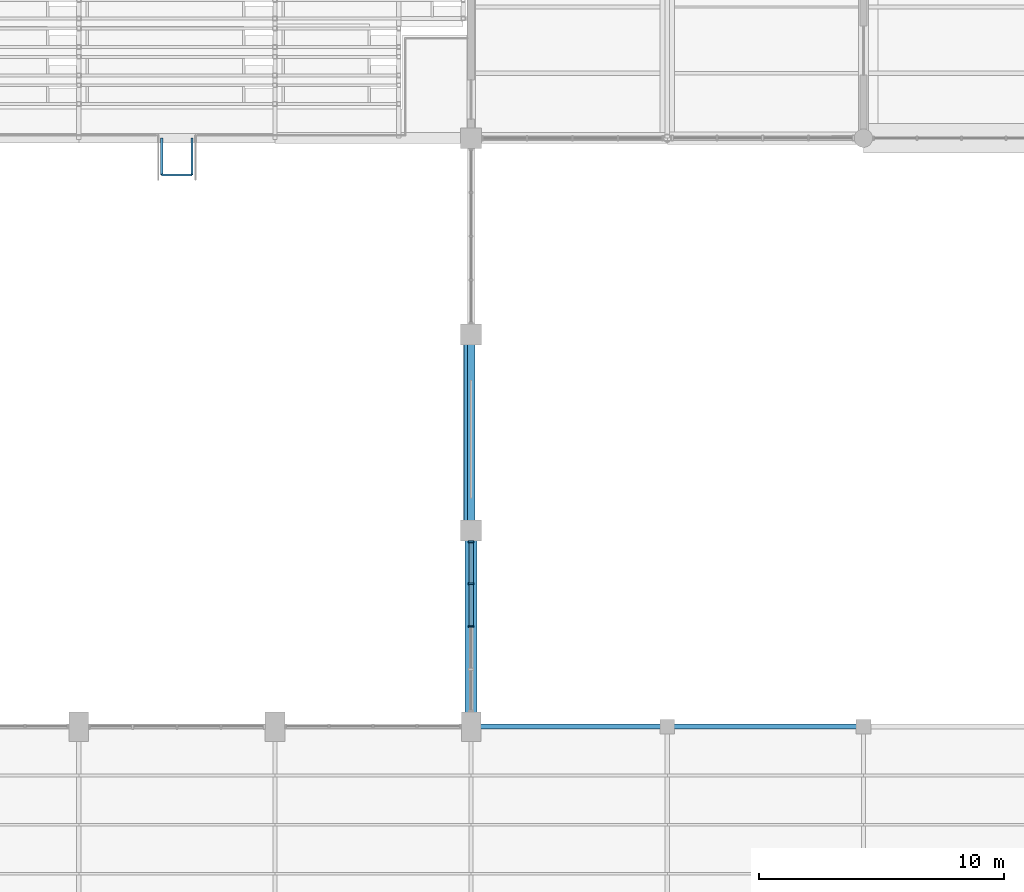
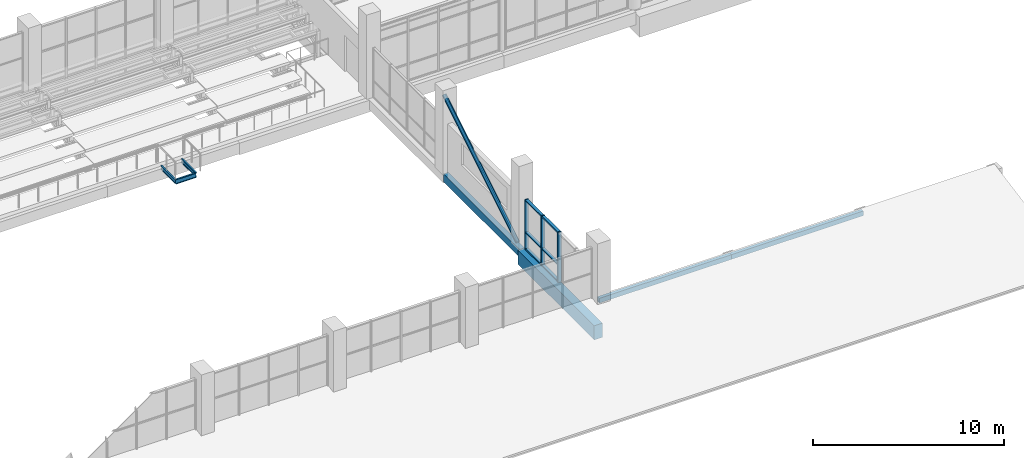
# One storey, part 13 of 122: 10 members, 7 beams, 1 element without a shape of its own.
"""IFC4 building model written with IfcOpenShell, lengths in metres."""

from ifc_helpers import new_model, si_unit, direction, frame, origin, origin_2d, place, context, subcontext, project, spatial, rectangle, hollow_rectangle, hollow_circle, i_section, extrude, material, material_profile, profile_set, type_object, element, aggregate, save


model = new_model("IFC4")

# Units and contexts
model_context = context("Model", 3, precision=1e-05, world=origin(), true_north=direction((0.0, 1.0)))
body_context = subcontext(model_context, "Body", "Model", "MODEL_VIEW")
ifc_project = project(units=[si_unit("LENGTHUNIT", "METRE"), si_unit("AREAUNIT", "SQUARE_METRE"), si_unit("VOLUMEUNIT", "CUBIC_METRE"), si_unit("PLANEANGLEUNIT", "RADIAN"), si_unit("MASSUNIT", "GRAM", prefix="KILO")], contexts=[model_context])

# Site, building, storey
site_placement = place(None, origin())
site = spatial("IfcSite", under=ifc_project, at=site_placement, CompositionType="ELEMENT")
building_placement = place(site_placement, origin())
building = spatial("IfcBuilding", under=site, at=building_placement, Name="Tenunan Teduh Sports Hall", CompositionType="ELEMENT")
storey_placement = place(building_placement, frame((0.0, 0.0, 5.39990234375)))
storey = spatial("IfcBuildingStorey", under=building, at=storey_placement, Name="L01", CompositionType="ELEMENT", Elevation=5.39990234375)

# Beams
ifc_material_1 = material(Name="Concrete C40/50", Category="concrete")
ifc_material_profile_1 = material_profile(ifc_material_1, rectangle(XDim=0.300048828125, YDim=0.5, at=origin_2d()), Name="RCB 300x500")
ifc_profile_set_1 = profile_set([ifc_material_profile_1], Name="Concrete C40/50")
beam_type_1 = type_object("IfcBeamType", Name="BM-RC-300x500", PredefinedType="BEAM", material=ifc_profile_set_1)
beam_1_placement = place(storey_placement, frame((54.0, 22.0, -0.510009765625), z_axis=(0.0, 1.0, 0.0), x_axis=(-1.0, 0.0, 0.0)))
element("IfcBeam", 1, at=beam_1_placement, inside=storey, type_object=beam_type_1, Name="BM-B-01-L01-1219", PredefinedType="BEAM", context=body_context, shape_type="SweptSolid", body=[
    extrude(rectangle(XDim=0.300048828125, YDim=0.5, at=origin_2d()), origin(), (0.0, 0.0, 1.0), 8.0),
])
ifc_material_2 = material(Name="Concrete C40/50", Category="concrete")
ifc_material_profile_2 = material_profile(ifc_material_2, rectangle(XDim=0.5, YDim=0.89990234375, at=origin_2d()), Name="RCB 500x900")
ifc_profile_set_2 = profile_set([ifc_material_profile_2], Name="Concrete C40/50")
beam_type_2 = type_object("IfcBeamType", Name="BM-RC-500x900", PredefinedType="BEAM", material=ifc_profile_set_2)
beam_2_placement = place(storey_placement, frame((54.0, 14.0, -0.7099609375), z_axis=(0.0, 1.0, 0.0), x_axis=(-1.0, 0.0, 0.0)))
element("IfcBeam", 2, at=beam_2_placement, inside=storey, type_object=beam_type_2, Name="BM-B-15-L01-1218", PredefinedType="BEAM", context=body_context, shape_type="SweptSolid", body=[
    extrude(rectangle(XDim=0.5, YDim=0.89990234375, at=origin_2d()), origin(), (0.0, 0.0, 1.0), 8.0),
])

# Curtain wall, members
ifc_material_3 = material(Name="Anodised aluminium", Category="aluminium")
curtain_wall_type = type_object("IfcCurtainWallType", Name="CW-UNIT-1", PredefinedType="NOTDEFINED", material=ifc_material_3)
curtain_wall_placement = place(storey_placement, origin())
curtain_wall = element("IfcCurtainWall", 3, at=curtain_wall_placement, inside=storey, type_object=curtain_wall_type, Name="CW-CWM-220-L01-053", PredefinedType="NOTDEFINED")
ifc_material_4 = material(Name="Anodised aluminium", Category="aluminium")
ifc_material_profile_3 = material_profile(ifc_material_4, rectangle(XDim=0.074951171875, YDim=0.219970703125, at=origin_2d()), Name="CWM 75x220")
ifc_profile_set_3 = profile_set([ifc_material_profile_3], Name="Anodised aluminium")
member_type_1 = type_object("IfcMemberType", Name="CWM-220", PredefinedType="MULLION", material=ifc_profile_set_3)
member_1_placement = place(storey_placement, frame((54.0, 18.08740234375, 0.0), z_axis=(0.0, 0.0, 1.0), x_axis=(0.0, 1.0, 0.0)))
member_1 = element("IfcMember", 4, at=member_1_placement, type_object=member_type_1, Name="CW-01 mullion 3", PredefinedType="MULLION", context=body_context, shape_type="SweptSolid", body=[
    extrude(rectangle(XDim=0.074951171875, YDim=0.219970703125, at=origin_2d()), origin(), (0.0, 0.0, 1.0), 3.2001953125),
])
member_2_placement = place(storey_placement, frame((54.0, 19.831298828125, 0.0), z_axis=(0.0, 0.0, 1.0), x_axis=(0.0, 1.0, 0.0)))
member_2 = element("IfcMember", 5, at=member_2_placement, type_object=member_type_1, Name="CW-01 mullion 4", PredefinedType="MULLION", context=body_context, shape_type="SweptSolid", body=[
    extrude(rectangle(XDim=0.074951171875, YDim=0.219970703125, at=origin_2d()), origin(), (0.0, 0.0, 1.0), 3.2001953125),
])
member_3_placement = place(storey_placement, frame((54.0, 21.53759765625, 0.0), z_axis=(0.0, 0.0, 1.0), x_axis=(0.0, 1.0, 0.0)))
member_3 = element("IfcMember", 6, at=member_3_placement, type_object=member_type_1, Name="CW-01 mullion 5", PredefinedType="MULLION", context=body_context, shape_type="SweptSolid", body=[
    extrude(rectangle(XDim=0.074951171875, YDim=0.219970703125, at=origin_2d()), origin(), (0.0, 0.0, 1.0), 3.2001953125),
])
ifc_material_5 = material(Name="Anodised aluminium", Category="aluminium")
ifc_material_profile_4 = material_profile(ifc_material_5, rectangle(XDim=0.074951171875, YDim=0.179931640625, at=origin_2d()), Name="CWT 75x180")
ifc_profile_set_4 = profile_set([ifc_material_profile_4], Name="Anodised aluminium")
member_type_2 = type_object("IfcMemberType", Name="CWT-180", PredefinedType="USERDEFINED", material=ifc_profile_set_4)
member_4_placement = place(storey_placement, frame((54.0, 18.125, 0.03759765625), z_axis=(0.0, 1.0, 0.0), x_axis=(0.0, 0.0, 1.0)))
member_4 = element("IfcMember", 7, at=member_4_placement, type_object=member_type_2, Name="CW-01 transom 3.1", ObjectType="TRANSOM", PredefinedType="USERDEFINED", context=body_context, shape_type="SweptSolid", body=[
    extrude(rectangle(XDim=0.074951171875, YDim=0.179931640625, at=origin_2d()), origin(), (0.0, 0.0, 1.0), 1.668701171875),
])
member_5_placement = place(storey_placement, frame((54.0, 18.125, 1.10009765625), z_axis=(0.0, 1.0, 0.0), x_axis=(0.0, 0.0, 1.0)))
member_5 = element("IfcMember", 8, at=member_5_placement, type_object=member_type_2, Name="CW-01 transom 3.2", ObjectType="TRANSOM", PredefinedType="USERDEFINED", context=body_context, shape_type="SweptSolid", body=[
    extrude(rectangle(XDim=0.074951171875, YDim=0.179931640625, at=origin_2d()), origin(), (0.0, 0.0, 1.0), 1.668701171875),
])
member_6_placement = place(storey_placement, frame((54.0, 18.125, 3.16259765625), z_axis=(0.0, 1.0, 0.0), x_axis=(0.0, 0.0, 1.0)))
member_6 = element("IfcMember", 9, at=member_6_placement, type_object=member_type_2, Name="CW-01 transom 3.3", ObjectType="TRANSOM", PredefinedType="USERDEFINED", context=body_context, shape_type="SweptSolid", body=[
    extrude(rectangle(XDim=0.074951171875, YDim=0.179931640625, at=origin_2d()), origin(), (0.0, 0.0, 1.0), 1.668701171875),
])
member_7_placement = place(storey_placement, frame((54.0, 19.86865234375, 0.03759765625), z_axis=(0.0, 1.0, 0.0), x_axis=(0.0, 0.0, 1.0)))
member_7 = element("IfcMember", 10, at=member_7_placement, type_object=member_type_2, Name="CW-01 transom 4.1", ObjectType="TRANSOM", PredefinedType="USERDEFINED", context=body_context, shape_type="SweptSolid", body=[
    extrude(rectangle(XDim=0.074951171875, YDim=0.179931640625, at=origin_2d()), origin(), (0.0, 0.0, 1.0), 1.63134765625),
])
member_8_placement = place(storey_placement, frame((54.0, 19.86865234375, 1.10009765625), z_axis=(0.0, 1.0, 0.0), x_axis=(0.0, 0.0, 1.0)))
member_8 = element("IfcMember", 11, at=member_8_placement, type_object=member_type_2, Name="CW-01 transom 4.2", ObjectType="TRANSOM", PredefinedType="USERDEFINED", context=body_context, shape_type="SweptSolid", body=[
    extrude(rectangle(XDim=0.074951171875, YDim=0.179931640625, at=origin_2d()), origin(), (0.0, 0.0, 1.0), 1.63134765625),
])
member_9_placement = place(storey_placement, frame((54.0, 19.86865234375, 3.16259765625), z_axis=(0.0, 1.0, 0.0), x_axis=(0.0, 0.0, 1.0)))
member_9 = element("IfcMember", 12, at=member_9_placement, type_object=member_type_2, Name="CW-01 transom 4.3", ObjectType="TRANSOM", PredefinedType="USERDEFINED", context=body_context, shape_type="SweptSolid", body=[
    extrude(rectangle(XDim=0.074951171875, YDim=0.179931640625, at=origin_2d()), origin(), (0.0, 0.0, 1.0), 1.63134765625),
])
aggregate(curtain_wall, [member_1, member_2, member_3, member_4, member_5, member_6, member_7, member_8, member_9])

# Member
ifc_material_6 = material(Name="Steel S355", Category="steel")
ifc_material_profile_5 = material_profile(ifc_material_6, hollow_circle(Radius=0.122314453125, WallThickness=0.010009765625, at=origin_2d()), Name="CHS 244.5x10.0")
ifc_profile_set_5 = profile_set([ifc_material_profile_5], Name="Steel S355")
member_type_3 = type_object("IfcMemberType", Name="MEM-BR-CHS245", PredefinedType="BRACE", material=ifc_profile_set_5)
member_10_placement = place(storey_placement, frame((53.820068359375, 22.14990234375, 0.150146484375), z_axis=(0.0, 0.851094506608, 0.525012514919), x_axis=(-1.0, 0.0, 0.0)))
element("IfcMember", 13, at=member_10_placement, inside=storey, type_object=member_type_3, Name="MEM-GD-01-L01-1450", PredefinedType="BRACE", context=body_context, shape_type="SweptSolid", body=[
    extrude(hollow_circle(Radius=0.122314453125, WallThickness=0.010009765625, at=origin_2d()), origin(), (0.0, 0.0, 1.0), 9.04736328125),
])

# Beams
ifc_material_7 = material(Name="Steel S355", Category="steel")
ifc_material_profile_6 = material_profile(ifc_material_7, hollow_rectangle(XDim=0.199951171875, YDim=0.300048828125, WallThickness=0.010009765625, at=origin_2d()), Name="RHS 300x200x10.0")
ifc_profile_set_6 = profile_set([ifc_material_profile_6], Name="Steel S355")
beam_type_3 = type_object("IfcBeamType", Name="RBM-RHS300", PredefinedType="BEAM", material=ifc_profile_set_6)
for number, where, z_axis, x_axis, name in (
    (14, (54.0, 14.0, 1.320068359375), (1.0, 0.0, 0.0), (0.0, 1.0, 0.0), "Perimeter Ring Beam BM-RB-03-L01-0538"),
    (15, (62.0, 14.0, 1.320068359375), (1.0, 0.0, 0.0), (0.0, 1.0, 0.0), "Perimeter Ring Beam BM-RB-03-L01-0541"),
):
    element("IfcBeam", number, at=place(storey_placement, frame(where, z_axis=z_axis, x_axis=x_axis)), inside=storey, type_object=beam_type_3, Name=name, PredefinedType="BEAM", context=body_context, shape_type="SweptSolid", body=[
        extrude(hollow_rectangle(XDim=0.199951171875, YDim=0.300048828125, WallThickness=0.010009765625, at=origin_2d()), origin(), (0.0, 0.0, 1.0), 8.0),
    ])
ifc_material_8 = material(Name="Steel S355", Category="steel")
ifc_material_profile_7 = material_profile(ifc_material_8, i_section(OverallWidth=0.090087890625, OverallDepth=0.300048828125, WebThickness=0.008056640625, FlangeThickness=0.015380859375, FilletRadius=0.011962890625, at=origin_2d()), Name="PFC 300x90")
ifc_profile_set_7 = profile_set([ifc_material_profile_7], Name="Steel S355")
beam_type_4 = type_object("IfcBeamType", Name="STR-BM-STRINGER", PredefinedType="BEAM", material=ifc_profile_set_7)
beam_3_placement = place(storey_placement, frame((41.3798828125, 36.5, -0.3349609375), z_axis=(1.0, 0.0, 0.0), x_axis=(0.0, 1.0, 0.0)))
element("IfcBeam", 16, at=beam_3_placement, inside=storey, type_object=beam_type_4, Name="BM-SS-01-FST-6-OUT", PredefinedType="BEAM", context=body_context, shape_type="SweptSolid", body=[
    extrude(i_section(OverallWidth=0.090087890625, OverallDepth=0.300048828125, WebThickness=0.008056640625, FlangeThickness=0.015380859375, FilletRadius=0.011962890625, at=origin_2d()), origin(), (0.0, 0.0, 1.0), 1.240234375),
])
ifc_material_9 = material(Name="Steel S355", Category="steel")
ifc_material_profile_8 = material_profile(ifc_material_9, i_section(OverallWidth=0.090087890625, OverallDepth=0.260009765625, WebThickness=0.008056640625, FlangeThickness=0.013916015625, FilletRadius=0.011962890625, at=origin_2d()), Name="PFC 260x90")
ifc_profile_set_8 = profile_set([ifc_material_profile_8], Name="Steel S355")
beam_type_5 = type_object("IfcBeamType", Name="STR-BM-TRIM", PredefinedType="BEAM", material=ifc_profile_set_8)
for number, where, z_axis, x_axis, name in (
    (17, (41.3798828125, 36.5, -0.31201171875), (0.0, 1.0, 0.0), (-1.0, 0.0, 0.0), "BM-SS-02-FST-6-S1"),
    (18, (42.6201171875, 36.5, -0.31201171875), (0.0, 1.0, 0.0), (-1.0, 0.0, 0.0), "BM-SS-02-FST-6-S2"),
):
    element("IfcBeam", number, at=place(storey_placement, frame(where, z_axis=z_axis, x_axis=x_axis)), inside=storey, type_object=beam_type_5, Name=name, PredefinedType="BEAM", context=body_context, shape_type="SweptSolid", body=[
        extrude(i_section(OverallWidth=0.090087890625, OverallDepth=0.260009765625, WebThickness=0.008056640625, FlangeThickness=0.013916015625, FilletRadius=0.011962890625, at=origin_2d()), origin(), (0.0, 0.0, 1.0), 1.5),
    ])

save(model, "model.ifc")
